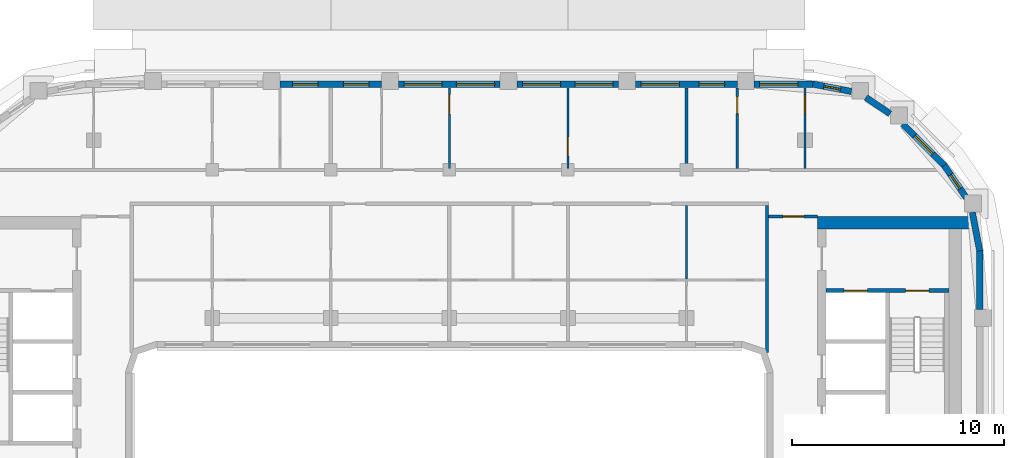
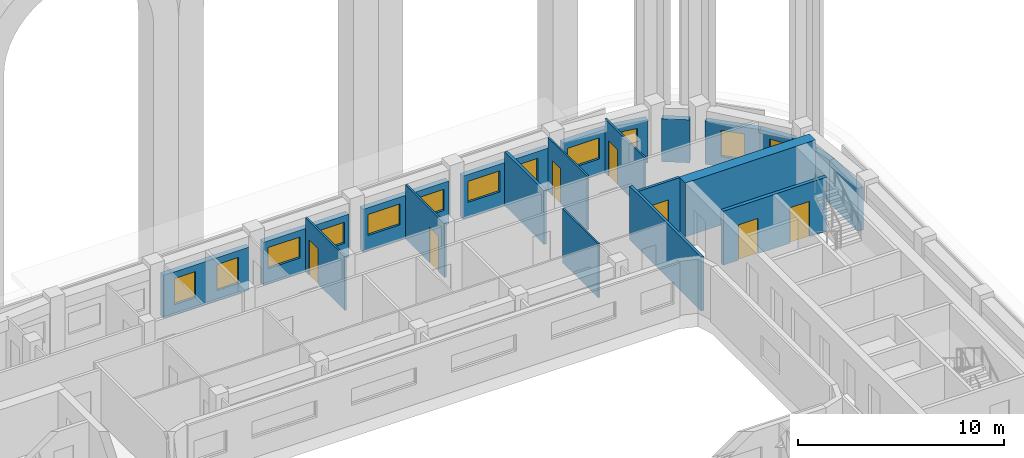
# One storey, part 8 of 19: 21 walls, 12 windows, 7 doors, 19 openings.
"""IFC4 building model written with IfcOpenShell, lengths in metres."""

from ifc_helpers import new_model, si_unit, direction, frame, frame_2d, origin, place, context, subcontext, project, spatial, rectangle, extrude, material, layer, layer_set, type_object, element, fill, save


model = new_model("IFC4")

# Units and contexts
model_context = context("Model", 3, precision=1e-05, world=origin(), true_north=direction((0.0, 1.0)))
body_context = subcontext(model_context, "Body", "Model", "MODEL_VIEW")
ifc_project = project(units=[si_unit("LENGTHUNIT", "METRE"), si_unit("AREAUNIT", "SQUARE_METRE"), si_unit("VOLUMEUNIT", "CUBIC_METRE"), si_unit("PLANEANGLEUNIT", "RADIAN"), si_unit("MASSUNIT", "GRAM", prefix="KILO")], contexts=[model_context])

# Site, building, storey
site_placement = place(None, origin())
site = spatial("IfcSite", under=ifc_project, at=site_placement, CompositionType="ELEMENT")
building_placement = place(site_placement, origin())
building = spatial("IfcBuilding", under=site, at=building_placement, Name="Kiln Ring Residences", CompositionType="ELEMENT")
storey_placement = place(building_placement, frame((0.0, 0.0, 241.699951171875)))
storey = spatial("IfcBuildingStorey", under=building, at=storey_placement, Name="L62", CompositionType="ELEMENT", Elevation=241.699951171875)

# Wall, openings, doors
ifc_material_1 = material(Name="Concrete C40/50", Category="concrete")
ifc_layer_1 = layer(ifc_material_1, 0.199951171875)
ifc_layer_set_1 = layer_set([ifc_layer_1], Name="CORE-WALL-RC200")
wall_type_1 = type_object("IfcWallType", Name="CORE-WALL-RC200", PredefinedType="SHEAR", material=ifc_layer_set_1)
wall_1_placement = place(storey_placement, frame((17.800048828125, 9.699951171875, 0.0), z_axis=(0.0, 0.0, 1.0), x_axis=(1.0, 0.0, 0.0)))
wall_1 = element("IfcWall", 1, at=wall_1_placement, inside=storey, type_object=wall_type_1, Name="Core wall east L62 9", PredefinedType="SHEAR", context=body_context, shape_type="SweptSolid", body=[
    extrude(rectangle(XDim=5.800048828125, YDim=0.199951171875, at=frame_2d((2.89990234375, 0.0))), origin(), (0.0, 0.0, 1.0), 3.199951171875),
])
opening_1_placement = place(wall_1_placement, frame((0.85009765625, 0.0, 0.0)))
opening_1 = element("IfcOpeningElement", 2, at=opening_1_placement, cuts=wall_1, Name="Opening L62-CE07", PredefinedType="OPENING", context=body_context, shape_type="SweptSolid", body=[
    extrude(rectangle(XDim=1.10009765625, YDim=2.10009765625, at=frame_2d((0.550048828125, 1.050048828125))), frame((0.0, 0.10986328125, 0.0), z_axis=(0.0, -1.0, 0.0), x_axis=(1.0, 0.0, 0.0)), (0.0, 0.0, 1.0), 0.219970703125),
])
opening_2_placement = place(wall_1_placement, frame((3.75, 0.0, 0.0)))
opening_2 = element("IfcOpeningElement", 3, at=opening_2_placement, cuts=wall_1, Name="Opening L62-CE10", PredefinedType="OPENING", context=body_context, shape_type="SweptSolid", body=[
    extrude(rectangle(XDim=1.10009765625, YDim=2.10009765625, at=frame_2d((0.550048828125, 1.050048828125))), frame((0.0, 0.10986328125, 0.0), z_axis=(0.0, -1.0, 0.0), x_axis=(1.0, 0.0, 0.0)), (0.0, 0.0, 1.0), 0.219970703125),
])
ifc_material_2 = material(Name="Steel door leaf", Category="steel")
door_type_1 = type_object("IfcDoorType", Name="CORE-DOOR-LD", OperationType="DOUBLE_DOOR_SLIDING", PredefinedType="DOOR", material=ifc_material_2)
door_1_placement = place(opening_1_placement, origin())
door_1 = element("IfcDoor", 4, at=door_1_placement, inside=storey, type_object=door_type_1, Name="LD E-FF L62-CE07", OperationType="DOUBLE_DOOR_SLIDING", OverallHeight=2.10009765625, OverallWidth=1.10009765625, PredefinedType="DOOR", context=body_context, shape_type="SweptSolid", body=[
    extrude(rectangle(XDim=1.10009765625, YDim=2.10009765625, at=frame_2d((0.550048828125, 1.050048828125))), frame((0.0, 0.02490234375, 0.0), z_axis=(0.0, -1.0, 0.0), x_axis=(1.0, 0.0, 0.0)), (0.0, 0.0, 1.0), 0.050048828125),
])
fill(opening_1, door_1)
ifc_material_3 = material(Name="Steel door leaf", Category="steel")
door_type_2 = type_object("IfcDoorType", Name="CORE-DOOR-STAIR", OperationType="SINGLE_SWING_LEFT", PredefinedType="DOOR", material=ifc_material_3)
door_2_placement = place(opening_2_placement, origin())
door_2 = element("IfcDoor", 5, at=door_2_placement, inside=storey, type_object=door_type_2, Name="Stair E-STN L62-CE10", OperationType="SINGLE_SWING_LEFT", OverallHeight=2.10009765625, OverallWidth=1.10009765625, PredefinedType="DOOR", context=body_context, shape_type="SweptSolid", body=[
    extrude(rectangle(XDim=1.10009765625, YDim=2.10009765625, at=frame_2d((0.550048828125, 1.050048828125))), frame((0.0, 0.02490234375, 0.0), z_axis=(0.0, -1.0, 0.0), x_axis=(1.0, 0.0, 0.0)), (0.0, 0.0, 1.0), 0.050048828125),
])
fill(opening_2, door_2)

# Walls
ifc_material_4 = material(Name="Concrete C60/75", Category="concrete")
ifc_layer_2 = layer(ifc_material_4, 0.60009765625)
ifc_layer_set_2 = layer_set([ifc_layer_2], Name="CORE-WALL-RC600")
wall_type_2 = type_object("IfcWallType", Name="CORE-WALL-RC600", PredefinedType="SHEAR", material=ifc_layer_set_2)
wall_2_placement = place(storey_placement, frame((17.39990234375, 12.89990234375, 0.0), z_axis=(0.0, 0.0, 1.0), x_axis=(1.0, 0.0, 0.0)))
element("IfcWall", 6, at=wall_2_placement, inside=storey, type_object=wall_type_2, Name="Core wall east L62 4", PredefinedType="SHEAR", context=body_context, shape_type="SweptSolid", body=[
    extrude(rectangle(XDim=7.320068359375, YDim=0.60009765625, at=frame_2d((3.66015625, 0.0))), origin(), (0.0, 0.0, 1.0), 3.199951171875),
])
ifc_material_5 = material(Name="Brick masonry, dark clay brick", Category="masonry")
ifc_layer_3 = layer(ifc_material_5, 0.300048828125)
ifc_layer_set_3 = layer_set([ifc_layer_3], Name="EW-300 BRICK WALL")
wall_type_3 = type_object("IfcWallType", Name="EW-300 BRICK WALL", PredefinedType="SOLIDWALL", material=ifc_layer_set_3)
wall_3_placement = place(storey_placement, frame((25.050048828125, 8.800048828125, 0.0), z_axis=(0.0, 0.0, 1.0), x_axis=(0.0, 1.0, 0.0)))
element("IfcWall", 7, at=wall_3_placement, inside=storey, type_object=wall_type_3, Name="Facade wall L62 20", PredefinedType="SOLIDWALL", context=body_context, shape_type="SweptSolid", body=[
    extrude(rectangle(XDim=2.800048828125, YDim=0.300048828125, at=frame_2d((1.39990234375, 0.0))), origin(), (0.0, 0.0, 1.0), 2.550048828125),
])
wall_4_placement = place(storey_placement, frame((25.052734375, 11.57177734375, 0.0), z_axis=(0.0, 0.0, 1.0), x_axis=(-0.187408222942, 0.982282117303, 0.0)))
element("IfcWall", 8, at=wall_4_placement, inside=storey, type_object=wall_type_3, Name="Facade wall L62 21", PredefinedType="SOLIDWALL", context=body_context, shape_type="SweptSolid", body=[
    extrude(rectangle(XDim=1.8564453125, YDim=0.300048828125, at=frame_2d((0.92822265625, 0.0))), origin(), (0.0, 0.0, 1.0), 2.550048828125),
])

# Wall, opening, window
wall_5_placement = place(storey_placement, frame((24.422119140625, 14.07763671875, 0.0), z_axis=(0.0, 0.0, 1.0), x_axis=(-0.562054549384, 0.827100165347, 0.0)))
wall_5 = element("IfcWall", 9, at=wall_5_placement, inside=storey, type_object=wall_type_3, Name="Facade wall L62 22", PredefinedType="SOLIDWALL", context=body_context, shape_type="SweptSolid", body=[
    extrude(rectangle(XDim=1.85595703125, YDim=0.300048828125, at=frame_2d((0.927978515625, 0.0))), origin(), (0.0, 0.0, 1.0), 2.550048828125),
])
opening_3_placement = place(wall_5_placement, frame((0.528076171875, 0.0, 0.60009765625)))
opening_3 = element("IfcOpeningElement", 10, at=opening_3_placement, cuts=wall_5, Name="Opening W5", PredefinedType="OPENING", context=body_context, shape_type="SweptSolid", body=[
    extrude(rectangle(XDim=0.800048828125, YDim=1.550048828125, at=frame_2d((0.39990234375, 0.77490234375))), frame((0.0, 0.159912109375, 0.0), z_axis=(0.0, -1.0, 0.0), x_axis=(1.0, 0.0, 0.0)), (0.0, 0.0, 1.0), 0.320068359375),
])
ifc_material_6 = material(Name="Aluminium frame with double glazing", Category="aluminium")
window_type_1 = type_object("IfcWindowType", Name="WINDOW 800 x 1550", PartitioningType="SINGLE_PANEL", PredefinedType="WINDOW", material=ifc_material_6)
window_1_placement = place(opening_3_placement, origin())
window_1 = element("IfcWindow", 11, at=window_1_placement, inside=storey, type_object=window_type_1, Name="Window L62 18", OverallHeight=1.550048828125, OverallWidth=0.800048828125, PartitioningType="SINGLE_PANEL", PredefinedType="WINDOW", context=body_context, shape_type="SweptSolid", body=[
    extrude(rectangle(XDim=0.800048828125, YDim=1.550048828125, at=frame_2d((0.39990234375, 0.77490234375))), frame((0.0, 0.030029296875, 0.0), z_axis=(0.0, -1.0, 0.0), x_axis=(1.0, 0.0, 0.0)), (0.0, 0.0, 1.0), 0.06005859375),
])
fill(opening_3, window_1)

wall_6_placement = place(storey_placement, frame((23.39697265625, 15.591064453125, 0.0), z_axis=(0.0, 0.0, 1.0), x_axis=(-0.707150377276, 0.707063182409, 0.0)))
wall_6 = element("IfcWall", 12, at=wall_6_placement, inside=storey, type_object=wall_type_3, Name="Facade wall L62 23", PredefinedType="SOLIDWALL", context=body_context, shape_type="SweptSolid", body=[
    extrude(rectangle(XDim=2.800048828125, YDim=0.300048828125, at=frame_2d((1.39990234375, 0.0))), origin(), (0.0, 0.0, 1.0), 2.550048828125),
])
opening_4_placement = place(wall_6_placement, frame((0.800048828125, 0.0, 0.60009765625)))
opening_4 = element("IfcOpeningElement", 13, at=opening_4_placement, cuts=wall_6, Name="Opening W1", PredefinedType="OPENING", context=body_context, shape_type="SweptSolid", body=[
    extrude(rectangle(XDim=1.199951171875, YDim=1.550048828125, at=frame_2d((0.60009765625, 0.77490234375))), frame((0.0, 0.159912109375, 0.0), z_axis=(0.0, -1.0, 0.0), x_axis=(1.0, 0.0, 0.0)), (0.0, 0.0, 1.0), 0.320068359375),
])
ifc_material_7 = material(Name="Aluminium frame with double glazing", Category="aluminium")
window_type_2 = type_object("IfcWindowType", Name="WINDOW 1200 x 1550", PartitioningType="SINGLE_PANEL", PredefinedType="WINDOW", material=ifc_material_7)
window_2_placement = place(opening_4_placement, origin())
window_2 = element("IfcWindow", 14, at=window_2_placement, inside=storey, type_object=window_type_2, Name="Window L62 19", OverallHeight=1.550048828125, OverallWidth=1.199951171875, PartitioningType="SINGLE_PANEL", PredefinedType="WINDOW", context=body_context, shape_type="SweptSolid", body=[
    extrude(rectangle(XDim=1.199951171875, YDim=1.550048828125, at=frame_2d((0.60009765625, 0.77490234375))), frame((0.0, 0.030029296875, 0.0), z_axis=(0.0, -1.0, 0.0), x_axis=(1.0, 0.0, 0.0)), (0.0, 0.0, 1.0), 0.06005859375),
])
fill(opening_4, window_2)

# Wall
wall_7_placement = place(storey_placement, frame((20.816650390625, 18.048095703125, 0.0), z_axis=(0.0, 0.0, 1.0), x_axis=(-0.827025410886, 0.562164539747, 0.0)))
element("IfcWall", 15, at=wall_7_placement, inside=storey, type_object=wall_type_3, Name="Facade wall L62 24", PredefinedType="SOLIDWALL", context=body_context, shape_type="SweptSolid", body=[
    extrude(rectangle(XDim=1.377197265625, YDim=0.300048828125, at=frame_2d((0.6884765625, 0.0))), origin(), (0.0, 0.0, 1.0), 2.550048828125),
])

# Wall, opening, window
wall_8_placement = place(storey_placement, frame((18.9951171875, 19.10498046875, 0.0), z_axis=(0.0, 0.0, 1.0), x_axis=(-0.982301706131, 0.187305520826, 0.0)))
wall_8 = element("IfcWall", 16, at=wall_8_placement, inside=storey, type_object=wall_type_3, Name="Facade wall L62 25", PredefinedType="SOLIDWALL", context=body_context, shape_type="SweptSolid", body=[
    extrude(rectangle(XDim=1.856201171875, YDim=0.300048828125, at=frame_2d((0.92822265625, 0.0))), origin(), (0.0, 0.0, 1.0), 2.550048828125),
])
opening_5_placement = place(wall_8_placement, frame((0.528076171875, 0.0, 0.60009765625)))
opening_5 = element("IfcOpeningElement", 17, at=opening_5_placement, cuts=wall_8, Name="Opening W5", PredefinedType="OPENING", context=body_context, shape_type="SweptSolid", body=[
    extrude(rectangle(XDim=0.800048828125, YDim=1.550048828125, at=frame_2d((0.39990234375, 0.77490234375))), frame((0.0, 0.159912109375, 0.0), z_axis=(0.0, -1.0, 0.0), x_axis=(1.0, 0.0, 0.0)), (0.0, 0.0, 1.0), 0.320068359375),
])
window_3_placement = place(opening_5_placement, origin())
window_3 = element("IfcWindow", 18, at=window_3_placement, inside=storey, type_object=window_type_1, Name="Window L62 20", OverallHeight=1.550048828125, OverallWidth=0.800048828125, PartitioningType="SINGLE_PANEL", PredefinedType="WINDOW", context=body_context, shape_type="SweptSolid", body=[
    extrude(rectangle(XDim=0.800048828125, YDim=1.550048828125, at=frame_2d((0.39990234375, 0.77490234375))), frame((0.0, 0.030029296875, 0.0), z_axis=(0.0, -1.0, 0.0), x_axis=(1.0, 0.0, 0.0)), (0.0, 0.0, 1.0), 0.06005859375),
])
fill(opening_5, window_3)

wall_9_placement = place(storey_placement, frame((17.199951171875, 19.449951171875, 0.0), z_axis=(0.0, 0.0, 1.0), x_axis=(-1.0, 0.0, 0.0)))
wall_9 = element("IfcWall", 19, at=wall_9_placement, inside=storey, type_object=wall_type_3, Name="Facade wall L62 26", PredefinedType="SOLIDWALL", context=body_context, shape_type="SweptSolid", body=[
    extrude(rectangle(XDim=2.800048828125, YDim=0.300048828125, at=frame_2d((1.39990234375, 0.0))), origin(), (0.0, 0.0, 1.0), 2.550048828125),
])
opening_6_placement = place(wall_9_placement, frame((0.737548828125, 0.0, 0.89990234375)))
opening_6 = element("IfcOpeningElement", 20, at=opening_6_placement, cuts=wall_9, Name="Opening W2", PredefinedType="OPENING", context=body_context, shape_type="SweptSolid", body=[
    extrude(rectangle(XDim=1.800048828125, YDim=1.25, at=frame_2d((0.89990234375, 0.625))), frame((0.0, 0.159912109375, 0.0), z_axis=(0.0, -1.0, 0.0), x_axis=(1.0, 0.0, 0.0)), (0.0, 0.0, 1.0), 0.320068359375),
])
ifc_material_8 = material(Name="Aluminium frame with double glazing", Category="aluminium")
window_type_3 = type_object("IfcWindowType", Name="WINDOW 1800 x 1250", PartitioningType="SINGLE_PANEL", PredefinedType="WINDOW", material=ifc_material_8)
window_4_placement = place(opening_6_placement, origin())
window_4 = element("IfcWindow", 21, at=window_4_placement, inside=storey, type_object=window_type_3, Name="Window L62 21", OverallHeight=1.25, OverallWidth=1.800048828125, PartitioningType="SINGLE_PANEL", PredefinedType="WINDOW", context=body_context, shape_type="SweptSolid", body=[
    extrude(rectangle(XDim=1.800048828125, YDim=1.25, at=frame_2d((0.89990234375, 0.625))), frame((0.0, 0.030029296875, 0.0), z_axis=(0.0, -1.0, 0.0), x_axis=(1.0, 0.0, 0.0)), (0.0, 0.0, 1.0), 0.06005859375),
])
fill(opening_6, window_4)

# Wall, openings, windows
wall_10_placement = place(storey_placement, frame((13.60009765625, 19.449951171875, 0.0), z_axis=(0.0, 0.0, 1.0), x_axis=(-1.0, 0.0, 0.0)))
wall_10 = element("IfcWall", 22, at=wall_10_placement, inside=storey, type_object=wall_type_3, Name="Facade wall L62 27", PredefinedType="SOLIDWALL", context=body_context, shape_type="SweptSolid", body=[
    extrude(rectangle(XDim=4.800048828125, YDim=0.300048828125, at=frame_2d((2.39990234375, 0.0))), origin(), (0.0, 0.0, 1.0), 2.550048828125),
])
opening_7_placement = place(wall_10_placement, frame((0.60009765625, 0.0, 0.60009765625)))
opening_7 = element("IfcOpeningElement", 23, at=opening_7_placement, cuts=wall_10, Name="Opening W1", PredefinedType="OPENING", context=body_context, shape_type="SweptSolid", body=[
    extrude(rectangle(XDim=1.199951171875, YDim=1.550048828125, at=frame_2d((0.60009765625, 0.77490234375))), frame((0.0, 0.159912109375, 0.0), z_axis=(0.0, -1.0, 0.0), x_axis=(1.0, 0.0, 0.0)), (0.0, 0.0, 1.0), 0.320068359375),
])
opening_8_placement = place(wall_10_placement, frame((2.737548828125, 0.0, 0.89990234375)))
opening_8 = element("IfcOpeningElement", 24, at=opening_8_placement, cuts=wall_10, Name="Opening W2", PredefinedType="OPENING", context=body_context, shape_type="SweptSolid", body=[
    extrude(rectangle(XDim=1.800048828125, YDim=1.25, at=frame_2d((0.89990234375, 0.625))), frame((0.0, 0.159912109375, 0.0), z_axis=(0.0, -1.0, 0.0), x_axis=(1.0, 0.0, 0.0)), (0.0, 0.0, 1.0), 0.320068359375),
])
window_5_placement = place(opening_7_placement, origin())
window_5 = element("IfcWindow", 25, at=window_5_placement, inside=storey, type_object=window_type_2, Name="Window L62 22", OverallHeight=1.550048828125, OverallWidth=1.199951171875, PartitioningType="SINGLE_PANEL", PredefinedType="WINDOW", context=body_context, shape_type="SweptSolid", body=[
    extrude(rectangle(XDim=1.199951171875, YDim=1.550048828125, at=frame_2d((0.60009765625, 0.77490234375))), frame((0.0, 0.030029296875, 0.0), z_axis=(0.0, -1.0, 0.0), x_axis=(1.0, 0.0, 0.0)), (0.0, 0.0, 1.0), 0.06005859375),
])
fill(opening_7, window_5)
window_6_placement = place(opening_8_placement, origin())
window_6 = element("IfcWindow", 26, at=window_6_placement, inside=storey, type_object=window_type_3, Name="Window L62 23", OverallHeight=1.25, OverallWidth=1.800048828125, PartitioningType="SINGLE_PANEL", PredefinedType="WINDOW", context=body_context, shape_type="SweptSolid", body=[
    extrude(rectangle(XDim=1.800048828125, YDim=1.25, at=frame_2d((0.89990234375, 0.625))), frame((0.0, 0.030029296875, 0.0), z_axis=(0.0, -1.0, 0.0), x_axis=(1.0, 0.0, 0.0)), (0.0, 0.0, 1.0), 0.06005859375),
])
fill(opening_8, window_6)

wall_11_placement = place(storey_placement, frame((8.0, 19.449951171875, 0.0), z_axis=(0.0, 0.0, 1.0), x_axis=(-1.0, 0.0, 0.0)))
wall_11 = element("IfcWall", 27, at=wall_11_placement, inside=storey, type_object=wall_type_3, Name="Facade wall L62 28", PredefinedType="SOLIDWALL", context=body_context, shape_type="SweptSolid", body=[
    extrude(rectangle(XDim=4.800048828125, YDim=0.300048828125, at=frame_2d((2.39990234375, 0.0))), origin(), (0.0, 0.0, 1.0), 2.550048828125),
])
opening_9_placement = place(wall_11_placement, frame((0.262451171875, 0.0, 0.89990234375)))
opening_9 = element("IfcOpeningElement", 28, at=opening_9_placement, cuts=wall_11, Name="Opening W2", PredefinedType="OPENING", context=body_context, shape_type="SweptSolid", body=[
    extrude(rectangle(XDim=1.800048828125, YDim=1.25, at=frame_2d((0.89990234375, 0.625))), frame((0.0, 0.159912109375, 0.0), z_axis=(0.0, -1.0, 0.0), x_axis=(1.0, 0.0, 0.0)), (0.0, 0.0, 1.0), 0.320068359375),
])
opening_10_placement = place(wall_11_placement, frame((2.737548828125, 0.0, 0.89990234375)))
opening_10 = element("IfcOpeningElement", 29, at=opening_10_placement, cuts=wall_11, Name="Opening W2", PredefinedType="OPENING", context=body_context, shape_type="SweptSolid", body=[
    extrude(rectangle(XDim=1.800048828125, YDim=1.25, at=frame_2d((0.89990234375, 0.625))), frame((0.0, 0.159912109375, 0.0), z_axis=(0.0, -1.0, 0.0), x_axis=(1.0, 0.0, 0.0)), (0.0, 0.0, 1.0), 0.320068359375),
])
window_7_placement = place(opening_9_placement, origin())
window_7 = element("IfcWindow", 30, at=window_7_placement, inside=storey, type_object=window_type_3, Name="Window L62 24", OverallHeight=1.25, OverallWidth=1.800048828125, PartitioningType="SINGLE_PANEL", PredefinedType="WINDOW", context=body_context, shape_type="SweptSolid", body=[
    extrude(rectangle(XDim=1.800048828125, YDim=1.25, at=frame_2d((0.89990234375, 0.625))), frame((0.0, 0.030029296875, 0.0), z_axis=(0.0, -1.0, 0.0), x_axis=(1.0, 0.0, 0.0)), (0.0, 0.0, 1.0), 0.06005859375),
])
fill(opening_9, window_7)
window_8_placement = place(opening_10_placement, origin())
window_8 = element("IfcWindow", 31, at=window_8_placement, inside=storey, type_object=window_type_3, Name="Window L62 25", OverallHeight=1.25, OverallWidth=1.800048828125, PartitioningType="SINGLE_PANEL", PredefinedType="WINDOW", context=body_context, shape_type="SweptSolid", body=[
    extrude(rectangle(XDim=1.800048828125, YDim=1.25, at=frame_2d((0.89990234375, 0.625))), frame((0.0, 0.030029296875, 0.0), z_axis=(0.0, -1.0, 0.0), x_axis=(1.0, 0.0, 0.0)), (0.0, 0.0, 1.0), 0.06005859375),
])
fill(opening_10, window_8)

wall_12_placement = place(storey_placement, frame((2.39990234375, 19.449951171875, 0.0), z_axis=(0.0, 0.0, 1.0), x_axis=(-1.0, 0.0, 0.0)))
wall_12 = element("IfcWall", 32, at=wall_12_placement, inside=storey, type_object=wall_type_3, Name="Facade wall L62 29", PredefinedType="SOLIDWALL", context=body_context, shape_type="SweptSolid", body=[
    extrude(rectangle(XDim=4.7998046875, YDim=0.300048828125, at=frame_2d((2.39990234375, 0.0))), origin(), (0.0, 0.0, 1.0), 2.550048828125),
])
opening_11_placement = place(wall_12_placement, frame((0.262451171875, 0.0, 0.89990234375)))
opening_11 = element("IfcOpeningElement", 33, at=opening_11_placement, cuts=wall_12, Name="Opening W2", PredefinedType="OPENING", context=body_context, shape_type="SweptSolid", body=[
    extrude(rectangle(XDim=1.800048828125, YDim=1.25, at=frame_2d((0.89990234375, 0.625))), frame((0.0, 0.159912109375, 0.0), z_axis=(0.0, -1.0, 0.0), x_axis=(1.0, 0.0, 0.0)), (0.0, 0.0, 1.0), 0.320068359375),
])
opening_12_placement = place(wall_12_placement, frame((2.737548828125, 0.0, 0.89990234375)))
opening_12 = element("IfcOpeningElement", 34, at=opening_12_placement, cuts=wall_12, Name="Opening W2", PredefinedType="OPENING", context=body_context, shape_type="SweptSolid", body=[
    extrude(rectangle(XDim=1.800048828125, YDim=1.25, at=frame_2d((0.89990234375, 0.625))), frame((0.0, 0.159912109375, 0.0), z_axis=(0.0, -1.0, 0.0), x_axis=(1.0, 0.0, 0.0)), (0.0, 0.0, 1.0), 0.320068359375),
])
window_9_placement = place(opening_11_placement, origin())
window_9 = element("IfcWindow", 35, at=window_9_placement, inside=storey, type_object=window_type_3, Name="Window L62 26", OverallHeight=1.25, OverallWidth=1.800048828125, PartitioningType="SINGLE_PANEL", PredefinedType="WINDOW", context=body_context, shape_type="SweptSolid", body=[
    extrude(rectangle(XDim=1.800048828125, YDim=1.25, at=frame_2d((0.89990234375, 0.625))), frame((0.0, 0.030029296875, 0.0), z_axis=(0.0, -1.0, 0.0), x_axis=(1.0, 0.0, 0.0)), (0.0, 0.0, 1.0), 0.06005859375),
])
fill(opening_11, window_9)
window_10_placement = place(opening_12_placement, origin())
window_10 = element("IfcWindow", 36, at=window_10_placement, inside=storey, type_object=window_type_3, Name="Window L62 27", OverallHeight=1.25, OverallWidth=1.800048828125, PartitioningType="SINGLE_PANEL", PredefinedType="WINDOW", context=body_context, shape_type="SweptSolid", body=[
    extrude(rectangle(XDim=1.800048828125, YDim=1.25, at=frame_2d((0.89990234375, 0.625))), frame((0.0, 0.030029296875, 0.0), z_axis=(0.0, -1.0, 0.0), x_axis=(1.0, 0.0, 0.0)), (0.0, 0.0, 1.0), 0.06005859375),
])
fill(opening_12, window_10)

wall_13_placement = place(storey_placement, frame((-3.199951171875, 19.449951171875, 0.0), z_axis=(0.0, 0.0, 1.0), x_axis=(-1.0, 0.0, 0.0)))
wall_13 = element("IfcWall", 37, at=wall_13_placement, inside=storey, type_object=wall_type_3, Name="Facade wall L62 30", PredefinedType="SOLIDWALL", context=body_context, shape_type="SweptSolid", body=[
    extrude(rectangle(XDim=4.800048828125, YDim=0.300048828125, at=frame_2d((2.39990234375, 0.0))), origin(), (0.0, 0.0, 1.0), 2.550048828125),
])
opening_13_placement = place(wall_13_placement, frame((0.60009765625, 0.0, 0.60009765625)))
opening_13 = element("IfcOpeningElement", 38, at=opening_13_placement, cuts=wall_13, Name="Opening W1", PredefinedType="OPENING", context=body_context, shape_type="SweptSolid", body=[
    extrude(rectangle(XDim=1.199951171875, YDim=1.550048828125, at=frame_2d((0.60009765625, 0.77490234375))), frame((0.0, 0.159912109375, 0.0), z_axis=(0.0, -1.0, 0.0), x_axis=(1.0, 0.0, 0.0)), (0.0, 0.0, 1.0), 0.320068359375),
])
opening_14_placement = place(wall_13_placement, frame((3.0, 0.0, 0.60009765625)))
opening_14 = element("IfcOpeningElement", 39, at=opening_14_placement, cuts=wall_13, Name="Opening W1", PredefinedType="OPENING", context=body_context, shape_type="SweptSolid", body=[
    extrude(rectangle(XDim=1.199951171875, YDim=1.550048828125, at=frame_2d((0.60009765625, 0.77490234375))), frame((0.0, 0.159912109375, 0.0), z_axis=(0.0, -1.0, 0.0), x_axis=(1.0, 0.0, 0.0)), (0.0, 0.0, 1.0), 0.320068359375),
])
window_11_placement = place(opening_13_placement, origin())
window_11 = element("IfcWindow", 40, at=window_11_placement, inside=storey, type_object=window_type_2, Name="Window L62 28", OverallHeight=1.550048828125, OverallWidth=1.199951171875, PartitioningType="SINGLE_PANEL", PredefinedType="WINDOW", context=body_context, shape_type="SweptSolid", body=[
    extrude(rectangle(XDim=1.199951171875, YDim=1.550048828125, at=frame_2d((0.60009765625, 0.77490234375))), frame((0.0, 0.030029296875, 0.0), z_axis=(0.0, -1.0, 0.0), x_axis=(1.0, 0.0, 0.0)), (0.0, 0.0, 1.0), 0.06005859375),
])
fill(opening_13, window_11)
window_12_placement = place(opening_14_placement, origin())
window_12 = element("IfcWindow", 41, at=window_12_placement, inside=storey, type_object=window_type_2, Name="Window L62 29", OverallHeight=1.550048828125, OverallWidth=1.199951171875, PartitioningType="SINGLE_PANEL", PredefinedType="WINDOW", context=body_context, shape_type="SweptSolid", body=[
    extrude(rectangle(XDim=1.199951171875, YDim=1.550048828125, at=frame_2d((0.60009765625, 0.77490234375))), frame((0.0, 0.030029296875, 0.0), z_axis=(0.0, -1.0, 0.0), x_axis=(1.0, 0.0, 0.0)), (0.0, 0.0, 1.0), 0.06005859375),
])
fill(opening_14, window_12)

# Wall, opening, door
ifc_material_9 = material(Name="Gypsum board on steel studs", Category="steel")
ifc_layer_4 = layer(ifc_material_9, 0.10009765625)
ifc_layer_set_4 = layer_set([ifc_layer_4], Name="PARTITION-100")
wall_type_4 = type_object("IfcWallType", Name="PARTITION-100", PredefinedType="PARTITIONING", material=ifc_layer_set_4)
wall_14_placement = place(storey_placement, frame((0.0, 15.47509765625, 0.0), z_axis=(0.0, 0.0, 1.0), x_axis=(0.0, 1.0, 0.0)))
wall_14 = element("IfcWall", 42, at=wall_14_placement, inside=storey, type_object=wall_type_4, Name="Partition 032", PredefinedType="PARTITIONING", context=body_context, shape_type="SweptSolid", body=[
    extrude(rectangle(XDim=3.804931640625, YDim=0.10009765625, at=frame_2d((1.90234375, 0.0))), origin(), (0.0, 0.0, 1.0), 3.199951171875),
])
opening_15_placement = place(wall_14_placement, frame((2.575927734375, 0.0, 0.0)))
opening_15 = element("IfcOpeningElement", 43, at=opening_15_placement, cuts=wall_14, Name="Opening L62-D024", PredefinedType="OPENING", context=body_context, shape_type="SweptSolid", body=[
    extrude(rectangle(XDim=0.89990234375, YDim=2.10009765625, at=frame_2d((0.449951171875, 1.050048828125))), frame((0.0, 0.06005859375, 0.0), z_axis=(0.0, -1.0, 0.0), x_axis=(1.0, 0.0, 0.0)), (0.0, 0.0, 1.0), 0.1201171875),
])
ifc_material_10 = material(Name="Timber door leaf", Category="wood")
door_type_3 = type_object("IfcDoorType", Name="FLAT-DOOR-900-PL", OperationType="SINGLE_SWING_LEFT", PredefinedType="DOOR", material=ifc_material_10)
door_3_placement = place(opening_15_placement, origin())
door_3 = element("IfcDoor", 44, at=door_3_placement, inside=storey, type_object=door_type_3, Name="Door L62-D024", OperationType="SINGLE_SWING_RIGHT", OverallHeight=2.10009765625, OverallWidth=0.89990234375, PredefinedType="DOOR", context=body_context, shape_type="SweptSolid", body=[
    extrude(rectangle(XDim=0.89990234375, YDim=2.10009765625, at=frame_2d((0.449951171875, 1.050048828125))), frame((0.0, 0.02490234375, 0.0), z_axis=(0.0, -1.0, 0.0), x_axis=(1.0, 0.0, 0.0)), (0.0, 0.0, 1.0), 0.050048828125),
])
fill(opening_15, door_3)

wall_15_placement = place(storey_placement, frame((5.60009765625, 15.47509765625, 0.0), z_axis=(0.0, 0.0, 1.0), x_axis=(0.0, 1.0, 0.0)))
wall_15 = element("IfcWall", 45, at=wall_15_placement, inside=storey, type_object=wall_type_4, Name="Partition 039", PredefinedType="PARTITIONING", context=body_context, shape_type="SweptSolid", body=[
    extrude(rectangle(XDim=3.804931640625, YDim=0.10009765625, at=frame_2d((1.90234375, 0.0))), origin(), (0.0, 0.0, 1.0), 3.199951171875),
])
opening_16_placement = place(wall_15_placement, frame((0.575927734375, 0.0, 0.0)))
opening_16 = element("IfcOpeningElement", 46, at=opening_16_placement, cuts=wall_15, Name="Opening L62-D025", PredefinedType="OPENING", context=body_context, shape_type="SweptSolid", body=[
    extrude(rectangle(XDim=0.89990234375, YDim=2.10009765625, at=frame_2d((0.449951171875, 1.050048828125))), frame((0.0, 0.06005859375, 0.0), z_axis=(0.0, -1.0, 0.0), x_axis=(1.0, 0.0, 0.0)), (0.0, 0.0, 1.0), 0.1201171875),
])
door_4_placement = place(opening_16_placement, origin())
door_4 = element("IfcDoor", 47, at=door_4_placement, inside=storey, type_object=door_type_3, Name="Door L62-D025", OperationType="SINGLE_SWING_LEFT", OverallHeight=2.10009765625, OverallWidth=0.89990234375, PredefinedType="DOOR", context=body_context, shape_type="SweptSolid", body=[
    extrude(rectangle(XDim=0.89990234375, YDim=2.10009765625, at=frame_2d((0.449951171875, 1.050048828125))), frame((0.0, 0.02490234375, 0.0), z_axis=(0.0, -1.0, 0.0), x_axis=(1.0, 0.0, 0.0)), (0.0, 0.0, 1.0), 0.050048828125),
])
fill(opening_16, door_4)

# Wall
wall_16_placement = place(storey_placement, frame((11.199951171875, 10.25, 0.0), z_axis=(0.0, 0.0, 1.0), x_axis=(0.0, 1.0, 0.0)))
element("IfcWall", 48, at=wall_16_placement, inside=storey, type_object=wall_type_4, Name="Partition 047", PredefinedType="PARTITIONING", context=body_context, shape_type="SweptSolid", body=[
    extrude(rectangle(XDim=3.47509765625, YDim=0.10009765625, at=frame_2d((1.737548828125, 0.0))), origin(), (0.0, 0.0, 1.0), 3.199951171875),
])

# Wall, opening, door
wall_17_placement = place(storey_placement, frame((13.60009765625, 15.47509765625, 0.0), z_axis=(0.0, 0.0, 1.0), x_axis=(0.0, 1.0, 0.0)))
wall_17 = element("IfcWall", 49, at=wall_17_placement, inside=storey, type_object=wall_type_4, Name="Partition 051", PredefinedType="PARTITIONING", context=body_context, shape_type="SweptSolid", body=[
    extrude(rectangle(XDim=3.804931640625, YDim=0.10009765625, at=frame_2d((1.90234375, 0.0))), origin(), (0.0, 0.0, 1.0), 3.199951171875),
])
opening_17_placement = place(wall_17_placement, frame((2.5849609375, 0.0, 0.0)))
opening_17 = element("IfcOpeningElement", 50, at=opening_17_placement, cuts=wall_17, Name="Opening L62-D027", PredefinedType="OPENING", context=body_context, shape_type="SweptSolid", body=[
    extrude(rectangle(XDim=0.800048828125, YDim=2.10009765625, at=frame_2d((0.39990234375, 1.050048828125))), frame((0.0, 0.06005859375, 0.0), z_axis=(0.0, -1.0, 0.0), x_axis=(1.0, 0.0, 0.0)), (0.0, 0.0, 1.0), 0.1201171875),
])
ifc_material_11 = material(Name="Timber door leaf", Category="wood")
door_type_4 = type_object("IfcDoorType", Name="FLAT-DOOR-800-PL", OperationType="SINGLE_SWING_LEFT", PredefinedType="DOOR", material=ifc_material_11)
door_5_placement = place(opening_17_placement, origin())
door_5 = element("IfcDoor", 51, at=door_5_placement, inside=storey, type_object=door_type_4, Name="Door L62-D027", OperationType="SINGLE_SWING_LEFT", OverallHeight=2.10009765625, OverallWidth=0.800048828125, PredefinedType="DOOR", context=body_context, shape_type="SweptSolid", body=[
    extrude(rectangle(XDim=0.800048828125, YDim=2.10009765625, at=frame_2d((0.39990234375, 1.050048828125))), frame((0.0, 0.02490234375, 0.0), z_axis=(0.0, -1.0, 0.0), x_axis=(1.0, 0.0, 0.0)), (0.0, 0.0, 1.0), 0.050048828125),
])
fill(opening_17, door_5)

wall_18_placement = place(storey_placement, frame((16.800048828125, 15.47509765625, 0.0), z_axis=(0.0, 0.0, 1.0), x_axis=(0.0, 1.0, 0.0)))
wall_18 = element("IfcWall", 52, at=wall_18_placement, inside=storey, type_object=wall_type_4, Name="Partition 055", PredefinedType="PARTITIONING", context=body_context, shape_type="SweptSolid", body=[
    extrude(rectangle(XDim=3.804931640625, YDim=0.10009765625, at=frame_2d((1.90234375, 0.0))), origin(), (0.0, 0.0, 1.0), 3.199951171875),
])
opening_18_placement = place(wall_18_placement, frame((2.575927734375, 0.0, 0.0)))
opening_18 = element("IfcOpeningElement", 53, at=opening_18_placement, cuts=wall_18, Name="Opening L62-D028", PredefinedType="OPENING", context=body_context, shape_type="SweptSolid", body=[
    extrude(rectangle(XDim=0.89990234375, YDim=2.10009765625, at=frame_2d((0.449951171875, 1.050048828125))), frame((0.0, 0.06005859375, 0.0), z_axis=(0.0, -1.0, 0.0), x_axis=(1.0, 0.0, 0.0)), (0.0, 0.0, 1.0), 0.1201171875),
])
door_6_placement = place(opening_18_placement, origin())
door_6 = element("IfcDoor", 54, at=door_6_placement, inside=storey, type_object=door_type_3, Name="Door L62-D028", OperationType="SINGLE_SWING_RIGHT", OverallHeight=2.10009765625, OverallWidth=0.89990234375, PredefinedType="DOOR", context=body_context, shape_type="SweptSolid", body=[
    extrude(rectangle(XDim=0.89990234375, YDim=2.10009765625, at=frame_2d((0.449951171875, 1.050048828125))), frame((0.0, 0.02490234375, 0.0), z_axis=(0.0, -1.0, 0.0), x_axis=(1.0, 0.0, 0.0)), (0.0, 0.0, 1.0), 0.050048828125),
])
fill(opening_18, door_6)

ifc_material_12 = material(Name="Brick masonry partition", Category="masonry")
ifc_layer_5 = layer(ifc_material_12, 0.14990234375)
ifc_layer_set_5 = layer_set([ifc_layer_5], Name="PARTITION-150-ei60")
wall_type_5 = type_object("IfcWallType", Name="PARTITION-150-ei60", PredefinedType="PARTITIONING", material=ifc_layer_set_5)
wall_19_placement = place(storey_placement, frame((15.074951171875, 13.199951171875, 0.0), z_axis=(0.0, 0.0, 1.0), x_axis=(1.0, 0.0, 0.0)))
wall_19 = element("IfcWall", 55, at=wall_19_placement, inside=storey, type_object=wall_type_5, Name="Partition 007", PredefinedType="PARTITIONING", context=body_context, shape_type="SweptSolid", body=[
    extrude(rectangle(XDim=2.324951171875, YDim=0.14990234375, at=frame_2d((1.16259765625, 0.0))), origin(), (0.0, 0.0, 1.0), 3.199951171875),
])
opening_19_placement = place(wall_19_placement, frame((0.675048828125, 0.0, 0.0)))
opening_19 = element("IfcOpeningElement", 56, at=opening_19_placement, cuts=wall_19, Name="Opening L62-D002", PredefinedType="OPENING", context=body_context, shape_type="SweptSolid", body=[
    extrude(rectangle(XDim=1.0, YDim=2.10009765625, at=frame_2d((0.5, 1.050048828125))), frame((0.0, 0.0849609375, 0.0), z_axis=(0.0, -1.0, 0.0), x_axis=(1.0, 0.0, 0.0)), (0.0, 0.0, 1.0), 0.169921875),
])
ifc_material_13 = material(Name="Steel faced fire door leaf", Category="steel")
door_type_5 = type_object("IfcDoorType", Name="FLAT-DOOR-1000-FR", OperationType="SINGLE_SWING_LEFT", PredefinedType="DOOR", material=ifc_material_13)
door_7_placement = place(opening_19_placement, origin())
door_7 = element("IfcDoor", 57, at=door_7_placement, inside=storey, type_object=door_type_5, Name="Door L62-D002", OperationType="SINGLE_SWING_LEFT", OverallHeight=2.10009765625, OverallWidth=1.0, PredefinedType="DOOR", context=body_context, shape_type="SweptSolid", body=[
    extrude(rectangle(XDim=1.0, YDim=2.10009765625, at=frame_2d((0.5, 1.050048828125))), frame((0.0, 0.02490234375, 0.0), z_axis=(0.0, -1.0, 0.0), x_axis=(1.0, 0.0, 0.0)), (0.0, 0.0, 1.0), 0.050048828125),
])
fill(opening_19, door_7)

# Walls
wall_20_placement = place(storey_placement, frame((11.199951171875, 15.47509765625, 0.0), z_axis=(0.0, 0.0, 1.0), x_axis=(0.0, 1.0, 0.0)))
element("IfcWall", 58, at=wall_20_placement, inside=storey, type_object=wall_type_5, Name="Partition 049", PredefinedType="PARTITIONING", context=body_context, shape_type="SweptSolid", body=[
    extrude(rectangle(XDim=3.804931640625, YDim=0.14990234375, at=frame_2d((1.90234375, 0.0))), origin(), (0.0, 0.0, 1.0), 3.199951171875),
])
wall_21_placement = place(storey_placement, frame((15.0, 6.768798828125, 0.0), z_axis=(0.0, 0.0, 1.0), x_axis=(0.0, 1.0, 0.0)))
element("IfcWall", 59, at=wall_21_placement, inside=storey, type_object=wall_type_5, Name="Partition 053", PredefinedType="PARTITIONING", context=body_context, shape_type="SweptSolid", body=[
    extrude(rectangle(XDim=6.956298828125, YDim=0.14990234375, at=frame_2d((3.47802734375, 0.0))), origin(), (0.0, 0.0, 1.0), 3.199951171875),
])

save(model, "model.ifc")
